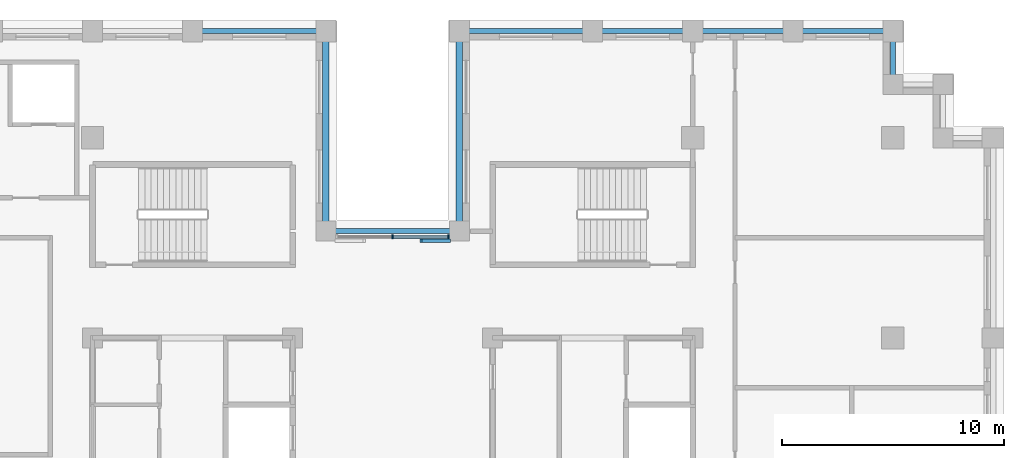
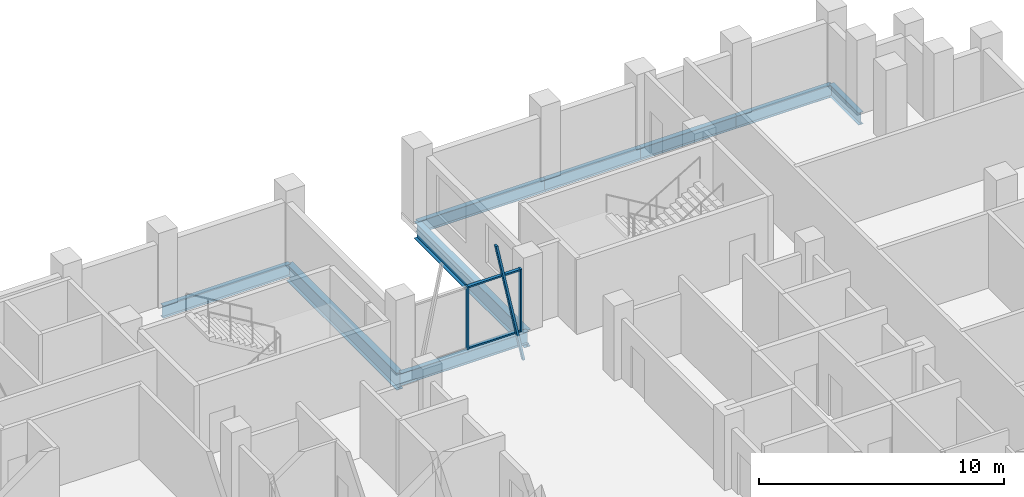
# One storey, part 4 of 15: 9 beams, 5 members, 1 element without a shape of its own.
"""IFC4 building model written with IfcOpenShell, lengths in metres."""

from ifc_helpers import new_model, si_unit, direction, frame, origin, origin_2d, place, context, subcontext, project, spatial, rectangle, i_section, extrude, material, layer, layer_set, material_profile, profile_set, type_object, element, aggregate, save


model = new_model("IFC4")

# Units and contexts
model_context = context("Model", 3, precision=1e-05, world=origin(), true_north=direction((0.0, 1.0)))
body_context = subcontext(model_context, "Body", "Model", "MODEL_VIEW")
ifc_project = project(units=[si_unit("LENGTHUNIT", "METRE"), si_unit("AREAUNIT", "SQUARE_METRE"), si_unit("VOLUMEUNIT", "CUBIC_METRE"), si_unit("PLANEANGLEUNIT", "RADIAN"), si_unit("MASSUNIT", "GRAM", prefix="KILO")], contexts=[model_context])

# Site, building, storey
site_placement = place(None, origin())
site = spatial("IfcSite", under=ifc_project, at=site_placement, CompositionType="ELEMENT")
building_placement = place(site_placement, origin())
building = spatial("IfcBuilding", under=site, at=building_placement, Name="Corbelhall Arena Tower", CompositionType="ELEMENT")
storey_placement = place(building_placement, frame((0.0, 0.0, 228.0)))
storey = spatial("IfcBuildingStorey", under=building, at=storey_placement, Name="L48", CompositionType="ELEMENT", Elevation=228.0)

# Curtain wall, members
ifc_material_1 = material(Name="Aluminium black anodised", Category="aluminium")
ifc_layer = layer(ifc_material_1, 0.199951171875)
ifc_layer_set = layer_set([ifc_layer], Name="EV-CW1 Slot back wall")
curtain_wall_type = type_object("IfcCurtainWallType", Name="EV-CW1 Slot back wall", PredefinedType="NOTDEFINED", material=ifc_layer_set)
curtain_wall_placement = place(storey_placement, origin())
curtain_wall = element("IfcCurtainWall", 1, at=curtain_wall_placement, inside=storey, type_object=curtain_wall_type, Name="Curtain wall CW1", PredefinedType="NOTDEFINED")
ifc_material_profile_1 = material_profile(ifc_material_1, rectangle(XDim=0.199951171875, YDim=0.074951171875, at=origin_2d()))
ifc_profile_set_1 = profile_set([ifc_material_profile_1], Name="Aluminium black anodised")
member_type_1 = type_object("IfcMemberType", Name="EV-CW1-MULLION", PredefinedType="MULLION", material=ifc_profile_set_1)
member_1_placement = place(storey_placement, frame((2.512451171875, 13.550048828125, 0.0), z_axis=(0.0, 0.0, 1.0), x_axis=(0.0, -1.0, 0.0)))
member_1 = element("IfcMember", 2, at=member_1_placement, type_object=member_type_1, Name="CW1 mullion 1", PredefinedType="MULLION", context=body_context, shape_type="SweptSolid", body=[
    extrude(rectangle(XDim=0.199951171875, YDim=0.074951171875, at=origin_2d()), origin(), (0.0, 0.0, 1.0), 3.1201171875),
])
member_2_placement = place(storey_placement, frame((0.0, 13.550048828125, 0.0), z_axis=(0.0, 0.0, 1.0), x_axis=(0.0, -1.0, 0.0)))
member_2 = element("IfcMember", 3, at=member_2_placement, type_object=member_type_1, Name="CW1 mullion 2", PredefinedType="MULLION", context=body_context, shape_type="SweptSolid", body=[
    extrude(rectangle(XDim=0.199951171875, YDim=0.074951171875, at=origin_2d()), origin(), (0.0, 0.0, 1.0), 3.1201171875),
])
ifc_material_profile_2 = material_profile(ifc_material_1, rectangle(XDim=0.14990234375, YDim=0.074951171875, at=origin_2d()))
ifc_profile_set_2 = profile_set([ifc_material_profile_2], Name="Aluminium black anodised")
member_type_2 = type_object("IfcMemberType", Name="EV-CW1-TRANSOM", PredefinedType="USERDEFINED", material=ifc_profile_set_2)
member_3_placement = place(storey_placement, frame((2.47509765625, 13.550048828125, 0.03759765625), z_axis=(-1.0, 0.0, 0.0), x_axis=(0.0, -1.0, 0.0)))
member_3 = element("IfcMember", 4, at=member_3_placement, type_object=member_type_2, Name="CW1 transom 1.1", ObjectType="transom", PredefinedType="USERDEFINED", context=body_context, shape_type="SweptSolid", body=[
    extrude(rectangle(XDim=0.14990234375, YDim=0.074951171875, at=origin_2d()), origin(), (0.0, 0.0, 1.0), 2.4375),
])
member_4_placement = place(storey_placement, frame((2.47509765625, 13.550048828125, 3.08251953125), z_axis=(-1.0, 0.0, 0.0), x_axis=(0.0, -1.0, 0.0)))
member_4 = element("IfcMember", 5, at=member_4_placement, type_object=member_type_2, Name="CW1 transom 1.2", ObjectType="transom", PredefinedType="USERDEFINED", context=body_context, shape_type="SweptSolid", body=[
    extrude(rectangle(XDim=0.14990234375, YDim=0.074951171875, at=origin_2d()), origin(), (0.0, 0.0, 1.0), 2.4375),
])
aggregate(curtain_wall, [member_1, member_2, member_3, member_4])

# Member
ifc_material_profile_3 = material_profile(ifc_material_1, rectangle(XDim=0.159912109375, YDim=0.10009765625, at=origin_2d()))
ifc_profile_set_3 = profile_set([ifc_material_profile_3], Name="Aluminium black anodised")
member_type_3 = type_object("IfcMemberType", Name="EV-TR1 Tracery bar", PredefinedType="USERDEFINED", material=ifc_profile_set_3)
member_5_placement = place(storey_placement, frame((2.550048828125, 13.3701171875, -1.307373046875), z_axis=(-0.204144671158, 0.0, 0.978940730197), x_axis=(0.0, -1.0, 0.0)))
element("IfcMember", 6, at=member_5_placement, inside=storey, type_object=member_type_3, Name="Tracery bar", ObjectType="TRACERY", PredefinedType="USERDEFINED", context=body_context, shape_type="SweptSolid", body=[
    extrude(rectangle(XDim=0.159912109375, YDim=0.10009765625, at=origin_2d()), origin(), (0.0, 0.0, 1.0), 6.246337890625),
])

# Beams
ifc_material_2 = material(Name="Steel ASTM A992 Gr50", Category="steel")
ifc_material_profile_4 = material_profile(ifc_material_2, i_section(OverallWidth=0.228271484375, OverallDepth=0.607177734375, WebThickness=0.01123046875, FlangeThickness=0.017333984375, at=origin_2d()))
ifc_profile_set_4 = profile_set([ifc_material_profile_4], Name="Steel ASTM A992 Gr50")
beam_type_1 = type_object("IfcBeamType", Name="ST-SPANDREL-W24x76", PredefinedType="SPANDREL", material=ifc_profile_set_4)
beam_1_placement = place(storey_placement, frame((3.0, 22.800048828125, -0.58349609375), z_axis=(1.0, 0.0, 0.0), x_axis=(0.0, 1.0, 0.0)))
element("IfcBeam", 7, at=beam_1_placement, inside=storey, type_object=beam_type_1, Name="Beam SP 13", PredefinedType="SPANDREL", context=body_context, shape_type="SweptSolid", body=[
    extrude(i_section(OverallWidth=0.228271484375, OverallDepth=0.607177734375, WebThickness=0.01123046875, FlangeThickness=0.017333984375, at=origin_2d()), origin(), (0.0, 0.0, 1.0), 6.0),
])
for number, where, z_axis, x_axis, name in (
    (8, (9.0, 22.800048828125, -0.58349609375), (1.0, 0.0, 0.0), (0.0, 1.0, 0.0), "Beam SP 14"),
    (9, (13.5, 22.800048828125, -0.58349609375), (1.0, 0.0, 0.0), (0.0, 1.0, 0.0), "Beam SP 15"),
    (10, (18.0, 22.800048828125, -0.58349609375), (1.0, 0.0, 0.0), (0.0, 1.0, 0.0), "Beam SP 16"),
):
    element("IfcBeam", number, at=place(storey_placement, frame(where, z_axis=z_axis, x_axis=x_axis)), inside=storey, type_object=beam_type_1, Name=name, PredefinedType="SPANDREL", context=body_context, shape_type="SweptSolid", body=[
        extrude(i_section(OverallWidth=0.228271484375, OverallDepth=0.607177734375, WebThickness=0.01123046875, FlangeThickness=0.017333984375, at=origin_2d()), origin(), (0.0, 0.0, 1.0), 4.5),
    ])
beam_2_placement = place(storey_placement, frame((22.5, 22.800048828125, -0.58349609375), z_axis=(0.0, -1.0, 0.0), x_axis=(1.0, 0.0, 0.0)))
element("IfcBeam", 11, at=beam_2_placement, inside=storey, type_object=beam_type_1, Name="Beam SP 17", PredefinedType="SPANDREL", context=body_context, shape_type="SweptSolid", body=[
    extrude(i_section(OverallWidth=0.228271484375, OverallDepth=0.607177734375, WebThickness=0.01123046875, FlangeThickness=0.017333984375, at=origin_2d()), origin(), (0.0, 0.0, 1.0), 2.400146484375),
])
for number, where, z_axis, x_axis, name in (
    (12, (-9.0, 22.800048828125, -0.58349609375), (1.0, 0.0, 0.0), (0.0, 1.0, 0.0), "Beam SP 19"),
    (13, (-3.0, 13.800048828125, -0.58349609375), (1.0, 0.0, 0.0), (0.0, 1.0, 0.0), "Beam SP 36"),
):
    element("IfcBeam", number, at=place(storey_placement, frame(where, z_axis=z_axis, x_axis=x_axis)), inside=storey, type_object=beam_type_1, Name=name, PredefinedType="SPANDREL", context=body_context, shape_type="SweptSolid", body=[
        extrude(i_section(OverallWidth=0.228271484375, OverallDepth=0.607177734375, WebThickness=0.01123046875, FlangeThickness=0.017333984375, at=origin_2d()), origin(), (0.0, 0.0, 1.0), 6.0),
    ])
ifc_material_profile_5 = material_profile(ifc_material_2, i_section(OverallWidth=0.2919921875, OverallDepth=0.845703125, WebThickness=0.015380859375, FlangeThickness=0.0244140625, at=origin_2d()))
ifc_profile_set_5 = profile_set([ifc_material_profile_5], Name="Steel ASTM A992 Gr50")
beam_type_2 = type_object("IfcBeamType", Name="ST-SPANDREL-W33x141", PredefinedType="SPANDREL", material=ifc_profile_set_5)
for number, where, z_axis, x_axis, name in (
    (14, (-3.0, 22.800048828125, -0.702880859375), (0.0, -1.0, 0.0), (1.0, 0.0, 0.0), "Beam SP 18"),
    (15, (3.0, 13.800048828125, -0.702880859375), (0.0, 1.0, 0.0), (-1.0, 0.0, 0.0), "Beam SP 35"),
):
    element("IfcBeam", number, at=place(storey_placement, frame(where, z_axis=z_axis, x_axis=x_axis)), inside=storey, type_object=beam_type_2, Name=name, PredefinedType="SPANDREL", context=body_context, shape_type="SweptSolid", body=[
        extrude(i_section(OverallWidth=0.2919921875, OverallDepth=0.845703125, WebThickness=0.015380859375, FlangeThickness=0.0244140625, at=origin_2d()), origin(), (0.0, 0.0, 1.0), 9.0),
    ])

save(model, "model.ifc")
